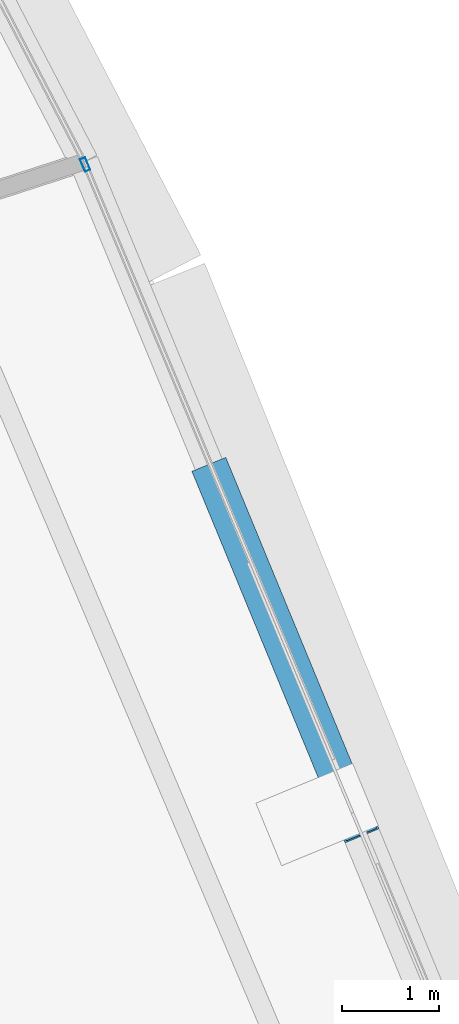
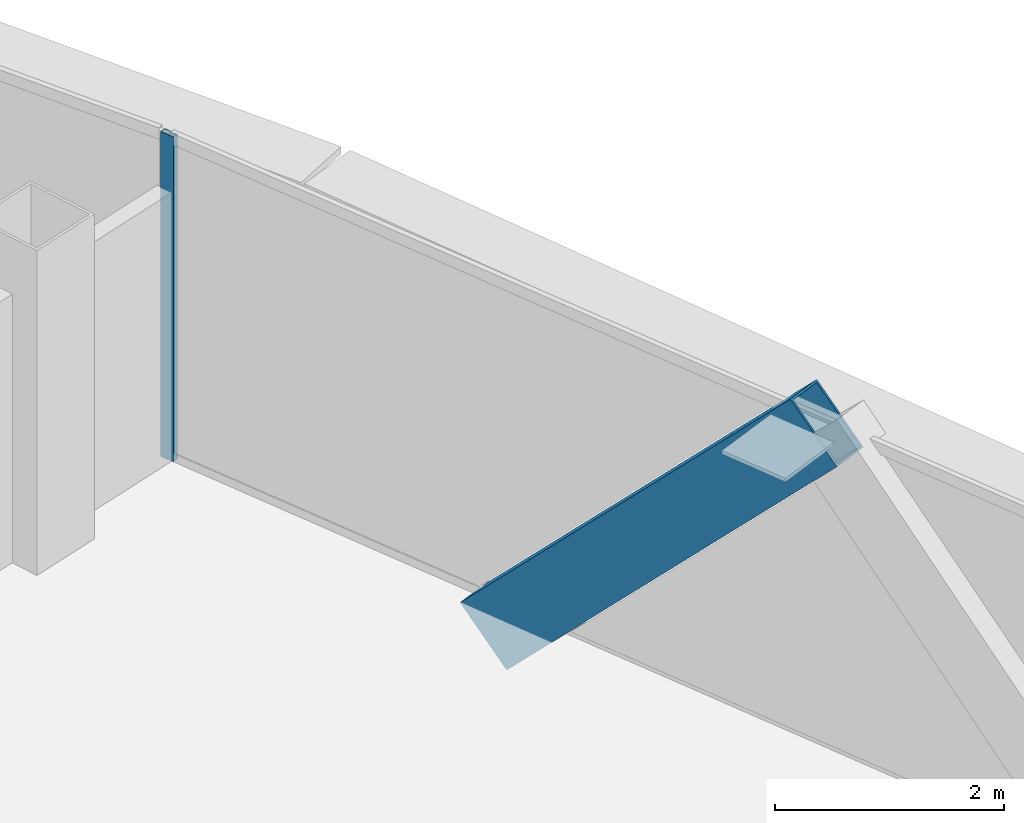
# One storey, part 16 of 33: 2 members, 1 element without a shape of its own.
"""IFC4 building model written with IfcOpenShell, lengths in metres."""

from ifc_helpers import new_model, si_unit, direction, frame, origin, origin_2d, place, context, subcontext, project, spatial, hollow_rectangle, extrude, source, transform, mapped, material, layer, layer_set, material_profile, profile_set, type_object, element, aggregate, save


model = new_model("IFC4")

# Units and contexts
model_context = context("Model", 3, precision=1e-05, world=origin(), true_north=direction((0.0, 1.0)))
body_context = subcontext(model_context, "Body", "Model", "MODEL_VIEW")
ifc_project = project(units=[si_unit("LENGTHUNIT", "METRE"), si_unit("AREAUNIT", "SQUARE_METRE"), si_unit("VOLUMEUNIT", "CUBIC_METRE"), si_unit("PLANEANGLEUNIT", "RADIAN"), si_unit("MASSUNIT", "GRAM", prefix="KILO"), si_unit("THERMODYNAMICTEMPERATUREUNIT", "KELVIN"), si_unit("POWERUNIT", "WATT")], contexts=[model_context])

# Site, building, storey
site_placement = place(None, origin())
site = spatial("IfcSite", under=ifc_project, at=site_placement, CompositionType="ELEMENT")
building_placement = place(site_placement, origin())
building = spatial("IfcBuilding", under=site, at=building_placement, Name="Yunzhuo Pagoda Commons", CompositionType="ELEMENT")
storey_placement = place(building_placement, frame((0.0, 0.0, 307.39990234375)))
storey = spatial("IfcBuildingStorey", under=building, at=storey_placement, Name="L77", CompositionType="ELEMENT", Elevation=307.39990234375)

# Member
ifc_material_1 = material(Name="Structural steel Q355B", Category="steel")
ifc_material_profile_1 = material_profile(ifc_material_1, hollow_rectangle(XDim=0.3798828125, YDim=0.719970703125, WallThickness=0.02001953125, at=origin_2d()), Name="Structural steel Q355B")
ifc_profile_set_1 = profile_set([ifc_material_profile_1], Name="Structural steel Q355B")
member_type_1 = type_object("IfcMemberType", Name="M-DL3 Brace BOX 720x380x20", PredefinedType="BRACE", material=ifc_profile_set_1)
shared_shape_1 = source(origin(), body_context, "Body", "SweptSolid", [
    extrude(hollow_rectangle(XDim=0.3798828125, YDim=0.719970703125, WallThickness=0.02001953125, at=origin_2d()), origin(), (0.0, 0.0, 1.0), 5.217041015625),
])
member_1_placement = place(storey_placement, frame((74.34130859375, 38.43505859375, -0.260009765625), z_axis=(0.266553824115, -0.646308789475, 0.715006298921), x_axis=(0.92446308039, 0.381271573811, 0.0)))
element("IfcMember", 1, at=member_1_placement, inside=storey, type_object=member_type_1, Name="L77 facade diamond brace F2.1R", PredefinedType="BRACE", context=body_context, shape_type="MappedRepresentation", body=[
    mapped(shared_shape_1, transform((0.0, 0.0, 0.0), scale=1.0)),
])

# Curtain wall, member
ifc_material_2 = material(Name="Anodized aluminium 6063-T6", Category="aluminium")
ifc_layer = layer(ifc_material_2, 0.139892578125)
ifc_layer_set = layer_set([ifc_layer], Name="Anodized aluminium 6063-T6")
curtain_wall_type = type_object("IfcCurtainWallType", Name="CW-HI High-Zone Ribbon Curtain Wall", PredefinedType="NOTDEFINED", material=ifc_layer_set)
curtain_wall_placement = place(storey_placement, origin())
curtain_wall = element("IfcCurtainWall", 2, at=curtain_wall_placement, inside=storey, type_object=curtain_wall_type, Name="L77 curtain wall CW-L77-F2B2", PredefinedType="NOTDEFINED")
ifc_material_profile_2 = material_profile(ifc_material_2, hollow_rectangle(XDim=0.06005859375, YDim=0.139892578125, WallThickness=0.00341796875, at=origin_2d()), Name="Anodized aluminium 6063-T6")
ifc_profile_set_2 = profile_set([ifc_material_profile_2], Name="Anodized aluminium 6063-T6")
member_type_2 = type_object("IfcMemberType", Name="CW-HI-M Mullion RHS 140x60x3.5", PredefinedType="MULLION", material=ifc_profile_set_2)
shared_shape_2 = source(origin(), body_context, "Body", "SweptSolid", [
    extrude(hollow_rectangle(XDim=0.06005859375, YDim=0.139892578125, WallThickness=0.00341796875, at=origin_2d()), origin(), (0.0, 0.0, 1.0), 3.47021484375),
])
member_2_placement = place(storey_placement, frame((72.961669921875, 41.779052734375, 0.0), z_axis=(0.0, 0.0, 1.0), x_axis=(-0.922876210298, -0.385096741697, 0.0)))
member_2 = element("IfcMember", 3, at=member_2_placement, type_object=member_type_2, Name="CW mullion 2", PredefinedType="MULLION", context=body_context, shape_type="MappedRepresentation", body=[
    mapped(shared_shape_2, transform((0.0, 0.0, 0.0), scale=1.0)),
])
aggregate(curtain_wall, [member_2])

save(model, "model.ifc")
